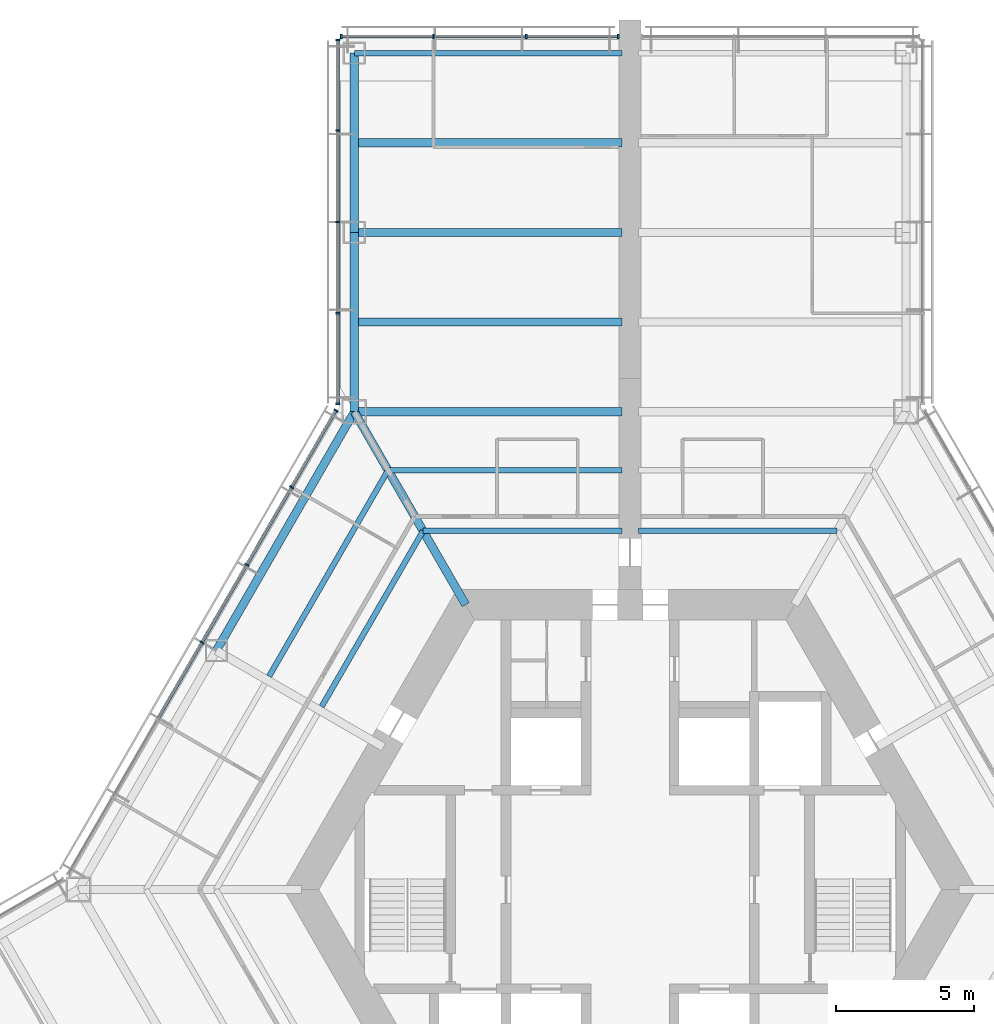
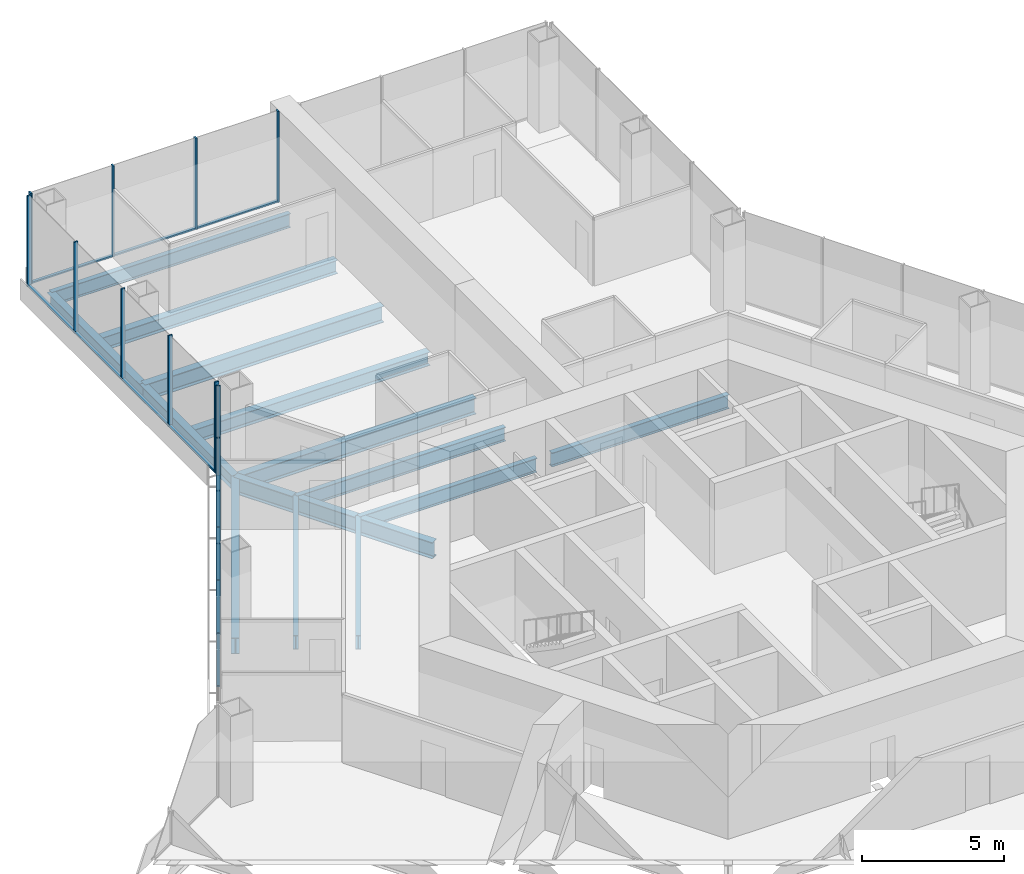
# One storey, part 7 of 18: 24 members, 14 beams, 3 elements without a shape of their own.
"""IFC4 building model written with IfcOpenShell, lengths in metres."""

from ifc_helpers import new_model, si_unit, direction, frame, origin, origin_2d, place, context, subcontext, project, spatial, rectangle, i_section, extrude, material, material_profile, profile_set, type_object, element, aggregate, save


model = new_model("IFC4")

# Units and contexts
model_context = context("Model", 3, precision=1e-05, world=origin(), true_north=direction((0.0, 1.0)))
body_context = subcontext(model_context, "Body", "Model", "MODEL_VIEW")
ifc_project = project(units=[si_unit("LENGTHUNIT", "METRE"), si_unit("AREAUNIT", "SQUARE_METRE"), si_unit("VOLUMEUNIT", "CUBIC_METRE"), si_unit("PLANEANGLEUNIT", "RADIAN"), si_unit("MASSUNIT", "GRAM", prefix="KILO")], contexts=[model_context])

# Site, building, storey
site_placement = place(None, origin())
site = spatial("IfcSite", under=ifc_project, at=site_placement, CompositionType="ELEMENT")
building_placement = place(site_placement, origin())
building = spatial("IfcBuilding", under=site, at=building_placement, Name="Kasaneha Research Tower", CompositionType="ELEMENT")
storey_placement = place(building_placement, frame((0.0, 0.0, 76.800048828125)))
storey = spatial("IfcBuildingStorey", under=building, at=storey_placement, Name="L19", CompositionType="ELEMENT", Elevation=76.800048828125)

# Beams
ifc_material_1 = material(Name="Steel SN490B", Category="steel")
ifc_material_profile_1 = material_profile(ifc_material_1, i_section(OverallWidth=0.199951171875, OverallDepth=0.60009765625, WebThickness=0.010986328125, FlangeThickness=0.01708984375, FilletRadius=0.012939453125, at=origin_2d()), Name="H-600x200x11x17")
ifc_profile_set_1 = profile_set([ifc_material_profile_1], Name="Steel SN490B")
beam_type_1 = type_object("IfcBeamType", Name="B1-3 secondary beam H-600x200x11x17", PredefinedType="JOIST", material=ifc_profile_set_1)
for number, where, z_axis, x_axis, name in (
    (1, (7.505615234375, 13.0, -0.449951171875), (-1.0, 0.0, 0.0), (0.0, -1.0, 0.0), "Secondary beam RS090L1 L19"),
    (2, (-7.505615234375, 13.0, -0.449951171875), (1.0, 0.0, 0.0), (0.0, 1.0, 0.0), "Secondary beam RS090R1 L19"),
):
    element("IfcBeam", number, at=place(storey_placement, frame(where, z_axis=z_axis, x_axis=x_axis)), inside=storey, type_object=beam_type_1, Name=name, PredefinedType="JOIST", context=body_context, shape_type="SweptSolid", body=[
        extrude(i_section(OverallWidth=0.199951171875, OverallDepth=0.60009765625, WebThickness=0.010986328125, FlangeThickness=0.01708984375, FilletRadius=0.012939453125, at=origin_2d()), origin(), (0.0, 0.0, 1.0), 7.20556640625),
    ])
beam_1_placement = place(storey_placement, frame((-8.775634765625, 15.199951171875, -0.449951171875), z_axis=(1.0, 0.0, 0.0), x_axis=(0.0, 1.0, 0.0)))
element("IfcBeam", 3, at=beam_1_placement, inside=storey, type_object=beam_type_1, Name="Secondary beam RS090R2 L19", PredefinedType="JOIST", context=body_context, shape_type="SweptSolid", body=[
    extrude(i_section(OverallWidth=0.199951171875, OverallDepth=0.60009765625, WebThickness=0.010986328125, FlangeThickness=0.01708984375, FilletRadius=0.012939453125, at=origin_2d()), origin(), (0.0, 0.0, 1.0), 8.4755859375),
])
beam_2_placement = place(storey_placement, frame((-7.505615234375, 13.0, -0.449951171875), z_axis=(-0.499994443168, -0.866028611999, 0.0), x_axis=(0.866028611999, -0.499994443168, 0.0)))
element("IfcBeam", 4, at=beam_2_placement, inside=storey, type_object=beam_type_1, Name="Secondary beam RS150L1 L19", PredefinedType="JOIST", context=body_context, shape_type="SweptSolid", body=[
    extrude(i_section(OverallWidth=0.199951171875, OverallDepth=0.60009765625, WebThickness=0.010986328125, FlangeThickness=0.01708984375, FilletRadius=0.012939453125, at=origin_2d()), origin(), (0.0, 0.0, 1.0), 7.35546875),
])
beam_3_placement = place(storey_placement, frame((-8.775634765625, 15.199951171875, -0.449951171875), z_axis=(-0.500017275495, -0.866015429543, 0.0), x_axis=(0.866015429543, -0.500017275495, 0.0)))
element("IfcBeam", 5, at=beam_3_placement, inside=storey, type_object=beam_type_1, Name="Secondary beam RS150L2 L19", PredefinedType="JOIST", context=body_context, shape_type="SweptSolid", body=[
    extrude(i_section(OverallWidth=0.199951171875, OverallDepth=0.60009765625, WebThickness=0.010986328125, FlangeThickness=0.01708984375, FilletRadius=0.012939453125, at=origin_2d()), origin(), (0.0, 0.0, 1.0), 8.625732421875),
])
ifc_material_2 = material(Name="Steel SN490B", Category="steel")
ifc_material_profile_2 = material_profile(ifc_material_2, i_section(OverallWidth=0.300048828125, OverallDepth=0.58203125, WebThickness=0.011962890625, FlangeThickness=0.01708984375, FilletRadius=0.012939453125, at=origin_2d()), Name="H-582x300x12x17")
ifc_profile_set_2 = profile_set([ifc_material_profile_2], Name="Steel SN490B")
beam_type_2 = type_object("IfcBeamType", Name="B2-3 secondary beam H-582x300x12x17", PredefinedType="JOIST", material=ifc_profile_set_2)
for number, where, z_axis, x_axis, name in (
    (6, (-10.0, 20.570556640625, -0.441162109375), (1.0, 0.0, 0.0), (0.0, 1.0, 0.0), "Secondary beam WBAN1 L19"),
    (7, (-10.0, 27.070556640625, -0.441162109375), (1.0, 0.0, 0.0), (0.0, 1.0, 0.0), "Secondary beam WBAN2 L19"),
):
    element("IfcBeam", number, at=place(storey_placement, frame(where, z_axis=z_axis, x_axis=x_axis)), inside=storey, type_object=beam_type_2, Name=name, PredefinedType="JOIST", context=body_context, shape_type="SweptSolid", body=[
        extrude(i_section(OverallWidth=0.300048828125, OverallDepth=0.58203125, WebThickness=0.011962890625, FlangeThickness=0.01708984375, FilletRadius=0.012939453125, at=origin_2d()), origin(), (0.0, 0.0, 1.0), 9.699951171875),
    ])

# Curtain wall, members
ifc_material_3 = material(Name="Glass and aluminium", Category="aluminium")
curtain_wall_type = type_object("IfcCurtainWallType", Name="Low-rise office curtain wall", PredefinedType="USERDEFINED", material=ifc_material_3)
curtain_wall_1_placement = place(storey_placement, origin())
curtain_wall_1 = element("IfcCurtainWall", 8, at=curtain_wall_1_placement, inside=storey, type_object=curtain_wall_type, Name="CW-O1 L19 run 10a", ObjectType="UNITISED CURTAIN WALL", PredefinedType="USERDEFINED")
ifc_material_4 = material(Name="Aluminium 6063-T6", Category="aluminium")
ifc_material_profile_3 = material_profile(ifc_material_4, rectangle(XDim=0.06005859375, YDim=0.159912109375, at=origin_2d()), Name="CW-O1 mullion 60x160")
ifc_profile_set_3 = profile_set([ifc_material_profile_3], Name="Aluminium 6063-T6")
member_type_1 = type_object("IfcMemberType", Name="CW-O1 mullion", PredefinedType="MULLION", material=ifc_profile_set_3)
member_1_placement = place(storey_placement, frame((-0.429931640625, 30.92041015625, 0.0), z_axis=(0.0, 0.0, 1.0), x_axis=(-1.0, 0.0, 0.0)))
member_1 = element("IfcMember", 9, at=member_1_placement, type_object=member_type_1, Name="CW-O1 mullion 1", PredefinedType="MULLION", context=body_context, shape_type="SweptSolid", body=[
    extrude(rectangle(XDim=0.06005859375, YDim=0.159912109375, at=origin_2d()), origin(), (0.0, 0.0, 1.0), 3.89990234375),
])
member_2_placement = place(storey_placement, frame((-3.7666015625, 30.92041015625, 0.0), z_axis=(0.0, 0.0, 1.0), x_axis=(-1.0, 0.0, 0.0)))
member_2 = element("IfcMember", 10, at=member_2_placement, type_object=member_type_1, Name="CW-O1 mullion 2", PredefinedType="MULLION", context=body_context, shape_type="SweptSolid", body=[
    extrude(rectangle(XDim=0.06005859375, YDim=0.159912109375, at=origin_2d()), origin(), (0.0, 0.0, 1.0), 3.89990234375),
])
member_3_placement = place(storey_placement, frame((-7.13330078125, 30.92041015625, 0.0), z_axis=(0.0, 0.0, 1.0), x_axis=(-1.0, 0.0, 0.0)))
member_3 = element("IfcMember", 11, at=member_3_placement, type_object=member_type_1, Name="CW-O1 mullion 3", PredefinedType="MULLION", context=body_context, shape_type="SweptSolid", body=[
    extrude(rectangle(XDim=0.06005859375, YDim=0.159912109375, at=origin_2d()), origin(), (0.0, 0.0, 1.0), 3.89990234375),
])
member_4_placement = place(storey_placement, frame((-10.469970703125, 30.92041015625, 0.0), z_axis=(0.0, 0.0, 1.0), x_axis=(-1.0, 0.0, 0.0)))
member_4 = element("IfcMember", 12, at=member_4_placement, type_object=member_type_1, Name="CW-O1 mullion 4", PredefinedType="MULLION", context=body_context, shape_type="SweptSolid", body=[
    extrude(rectangle(XDim=0.06005859375, YDim=0.159912109375, at=origin_2d()), origin(), (0.0, 0.0, 1.0), 3.89990234375),
])

curtain_wall_2_placement = place(storey_placement, origin())
curtain_wall_2 = element("IfcCurtainWall", 13, at=curtain_wall_2_placement, inside=storey, type_object=curtain_wall_type, Name="CW-O1 L19 run 11a", ObjectType="UNITISED CURTAIN WALL", PredefinedType="USERDEFINED")
member_5_placement = place(storey_placement, frame((-10.60009765625, 30.79052734375, 0.0), z_axis=(0.0, 0.0, 1.0), x_axis=(0.0, -1.0, 0.0)))
member_5 = element("IfcMember", 14, at=member_5_placement, type_object=member_type_1, Name="CW-O1 mullion 1", PredefinedType="MULLION", context=body_context, shape_type="SweptSolid", body=[
    extrude(rectangle(XDim=0.06005859375, YDim=0.159912109375, at=origin_2d()), origin(), (0.0, 0.0, 1.0), 3.89990234375),
])
member_6_placement = place(storey_placement, frame((-10.60009765625, 27.5107421875, 0.0), z_axis=(0.0, 0.0, 1.0), x_axis=(0.0, -1.0, 0.0)))
member_6 = element("IfcMember", 15, at=member_6_placement, type_object=member_type_1, Name="CW-O1 mullion 2", PredefinedType="MULLION", context=body_context, shape_type="SweptSolid", body=[
    extrude(rectangle(XDim=0.06005859375, YDim=0.159912109375, at=origin_2d()), origin(), (0.0, 0.0, 1.0), 3.89990234375),
])
member_7_placement = place(storey_placement, frame((-10.60009765625, 24.200927734375, 0.0), z_axis=(0.0, 0.0, 1.0), x_axis=(0.0, -1.0, 0.0)))
member_7 = element("IfcMember", 16, at=member_7_placement, type_object=member_type_1, Name="CW-O1 mullion 3", PredefinedType="MULLION", context=body_context, shape_type="SweptSolid", body=[
    extrude(rectangle(XDim=0.06005859375, YDim=0.159912109375, at=origin_2d()), origin(), (0.0, 0.0, 1.0), 3.89990234375),
])
member_8_placement = place(storey_placement, frame((-10.60009765625, 20.89111328125, 0.0), z_axis=(0.0, 0.0, 1.0), x_axis=(0.0, -1.0, 0.0)))
member_8 = element("IfcMember", 17, at=member_8_placement, type_object=member_type_1, Name="CW-O1 mullion 4", PredefinedType="MULLION", context=body_context, shape_type="SweptSolid", body=[
    extrude(rectangle(XDim=0.06005859375, YDim=0.159912109375, at=origin_2d()), origin(), (0.0, 0.0, 1.0), 3.89990234375),
])
member_9_placement = place(storey_placement, frame((-10.60009765625, 17.611328125, 0.0), z_axis=(0.0, 0.0, 1.0), x_axis=(0.0, -1.0, 0.0)))
member_9 = element("IfcMember", 18, at=member_9_placement, type_object=member_type_1, Name="CW-O1 mullion 5", PredefinedType="MULLION", context=body_context, shape_type="SweptSolid", body=[
    extrude(rectangle(XDim=0.06005859375, YDim=0.159912109375, at=origin_2d()), origin(), (0.0, 0.0, 1.0), 3.89990234375),
])

curtain_wall_3_placement = place(storey_placement, origin())
curtain_wall_3 = element("IfcCurtainWall", 19, at=curtain_wall_3_placement, inside=storey, type_object=curtain_wall_type, Name="CW-O1 L19 run 12a", ObjectType="UNITISED CURTAIN WALL", PredefinedType="USERDEFINED")
member_10_placement = place(storey_placement, frame((-10.6650390625, 17.36865234375, 0.0), z_axis=(0.0, 0.0, 1.0), x_axis=(-0.49999996188, -0.866025425793, 0.0)))
member_10 = element("IfcMember", 20, at=member_10_placement, type_object=member_type_1, Name="CW-O1 mullion 1", PredefinedType="MULLION", context=body_context, shape_type="SweptSolid", body=[
    extrude(rectangle(XDim=0.06005859375, YDim=0.159912109375, at=origin_2d()), origin(), (0.0, 0.0, 1.0), 3.89990234375),
])
member_11_placement = place(storey_placement, frame((-12.273193359375, 14.583251953125, 0.0), z_axis=(0.0, 0.0, 1.0), x_axis=(-0.49999996188, -0.866025425793, 0.0)))
member_11 = element("IfcMember", 21, at=member_11_placement, type_object=member_type_1, Name="CW-O1 mullion 2", PredefinedType="MULLION", context=body_context, shape_type="SweptSolid", body=[
    extrude(rectangle(XDim=0.06005859375, YDim=0.159912109375, at=origin_2d()), origin(), (0.0, 0.0, 1.0), 3.89990234375),
])
member_12_placement = place(storey_placement, frame((-13.896484375, 11.771728515625, 0.0), z_axis=(0.0, 0.0, 1.0), x_axis=(-0.49999996188, -0.866025425793, 0.0)))
member_12 = element("IfcMember", 22, at=member_12_placement, type_object=member_type_1, Name="CW-O1 mullion 3", PredefinedType="MULLION", context=body_context, shape_type="SweptSolid", body=[
    extrude(rectangle(XDim=0.06005859375, YDim=0.159912109375, at=origin_2d()), origin(), (0.0, 0.0, 1.0), 3.89990234375),
])
member_13_placement = place(storey_placement, frame((-15.51953125, 8.960205078125, 0.0), z_axis=(0.0, 0.0, 1.0), x_axis=(-0.49999996188, -0.866025425793, 0.0)))
member_13 = element("IfcMember", 23, at=member_13_placement, type_object=member_type_1, Name="CW-O1 mullion 4", PredefinedType="MULLION", context=body_context, shape_type="SweptSolid", body=[
    extrude(rectangle(XDim=0.06005859375, YDim=0.159912109375, at=origin_2d()), origin(), (0.0, 0.0, 1.0), 3.89990234375),
])

# Member
ifc_material_5 = material(Name="Aluminium 6063-T6", Category="aluminium")
ifc_material_profile_4 = material_profile(ifc_material_5, rectangle(XDim=0.1201171875, YDim=0.06005859375, at=origin_2d()), Name="CW-O1 transom 120x60")
ifc_profile_set_4 = profile_set([ifc_material_profile_4], Name="Aluminium 6063-T6")
member_type_2 = type_object("IfcMemberType", Name="CW-O1 transom", PredefinedType="USERDEFINED", material=ifc_profile_set_4)
member_14_placement = place(storey_placement, frame((-0.4599609375, 30.92041015625, 0.030029296875), z_axis=(-1.0, 0.0, 0.0), x_axis=(0.0, -1.0, 0.0)))
member_14 = element("IfcMember", 24, at=member_14_placement, type_object=member_type_2, Name="CW-O1 transom 1", ObjectType="TRANSOM", PredefinedType="USERDEFINED", context=body_context, shape_type="SweptSolid", body=[
    extrude(rectangle(XDim=0.1201171875, YDim=0.06005859375, at=origin_2d()), origin(), (0.0, 0.0, 1.0), 3.276611328125),
])

member_15_placement = place(storey_placement, frame((-3.796630859375, 30.92041015625, 0.030029296875), z_axis=(-1.0, 0.0, 0.0), x_axis=(0.0, -1.0, 0.0)))
member_15 = element("IfcMember", 25, at=member_15_placement, type_object=member_type_2, Name="CW-O1 transom 2", ObjectType="TRANSOM", PredefinedType="USERDEFINED", context=body_context, shape_type="SweptSolid", body=[
    extrude(rectangle(XDim=0.1201171875, YDim=0.06005859375, at=origin_2d()), origin(), (0.0, 0.0, 1.0), 3.306640625),
])

member_16_placement = place(storey_placement, frame((-7.163330078125, 30.92041015625, 0.030029296875), z_axis=(-1.0, 0.0, 0.0), x_axis=(0.0, -1.0, 0.0)))
member_16 = element("IfcMember", 26, at=member_16_placement, type_object=member_type_2, Name="CW-O1 transom 3", ObjectType="TRANSOM", PredefinedType="USERDEFINED", context=body_context, shape_type="SweptSolid", body=[
    extrude(rectangle(XDim=0.1201171875, YDim=0.06005859375, at=origin_2d()), origin(), (0.0, 0.0, 1.0), 3.276611328125),
])

aggregate(curtain_wall_1, [member_1, member_2, member_3, member_4, member_14, member_15, member_16])

member_17_placement = place(storey_placement, frame((-10.60009765625, 30.760498046875, 0.030029296875), z_axis=(0.0, -1.0, 0.0), x_axis=(1.0, 0.0, 0.0)))
member_17 = element("IfcMember", 27, at=member_17_placement, type_object=member_type_2, Name="CW-O1 transom 1", ObjectType="TRANSOM", PredefinedType="USERDEFINED", context=body_context, shape_type="SweptSolid", body=[
    extrude(rectangle(XDim=0.1201171875, YDim=0.06005859375, at=origin_2d()), origin(), (0.0, 0.0, 1.0), 3.2197265625),
])

member_18_placement = place(storey_placement, frame((-10.60009765625, 27.480712890625, 0.030029296875), z_axis=(0.0, -1.0, 0.0), x_axis=(1.0, 0.0, 0.0)))
member_18 = element("IfcMember", 28, at=member_18_placement, type_object=member_type_2, Name="CW-O1 transom 2", ObjectType="TRANSOM", PredefinedType="USERDEFINED", context=body_context, shape_type="SweptSolid", body=[
    extrude(rectangle(XDim=0.1201171875, YDim=0.06005859375, at=origin_2d()), origin(), (0.0, 0.0, 1.0), 3.249755859375),
])

member_19_placement = place(storey_placement, frame((-10.60009765625, 24.1708984375, 0.030029296875), z_axis=(0.0, -1.0, 0.0), x_axis=(1.0, 0.0, 0.0)))
member_19 = element("IfcMember", 29, at=member_19_placement, type_object=member_type_2, Name="CW-O1 transom 3", ObjectType="TRANSOM", PredefinedType="USERDEFINED", context=body_context, shape_type="SweptSolid", body=[
    extrude(rectangle(XDim=0.1201171875, YDim=0.06005859375, at=origin_2d()), origin(), (0.0, 0.0, 1.0), 3.249755859375),
])

member_20_placement = place(storey_placement, frame((-10.60009765625, 20.861083984375, 0.030029296875), z_axis=(0.0, -1.0, 0.0), x_axis=(1.0, 0.0, 0.0)))
member_20 = element("IfcMember", 30, at=member_20_placement, type_object=member_type_2, Name="CW-O1 transom 4", ObjectType="TRANSOM", PredefinedType="USERDEFINED", context=body_context, shape_type="SweptSolid", body=[
    extrude(rectangle(XDim=0.1201171875, YDim=0.06005859375, at=origin_2d()), origin(), (0.0, 0.0, 1.0), 3.2197265625),
])

aggregate(curtain_wall_2, [member_5, member_6, member_7, member_8, member_9, member_17, member_18, member_19, member_20])

member_21_placement = place(storey_placement, frame((-10.679931640625, 17.3427734375, 0.030029296875), z_axis=(-0.500023726918, -0.866011704609, 0.0), x_axis=(0.866011704609, -0.500023726918, 0.0)))
member_21 = element("IfcMember", 31, at=member_21_placement, type_object=member_type_2, Name="CW-O1 transom 1", ObjectType="TRANSOM", PredefinedType="USERDEFINED", context=body_context, shape_type="SweptSolid", body=[
    extrude(rectangle(XDim=0.1201171875, YDim=0.06005859375, at=origin_2d()), origin(), (0.0, 0.0, 1.0), 3.156494140625),
])

member_22_placement = place(storey_placement, frame((-12.2880859375, 14.55712890625, 0.030029296875), z_axis=(-0.500012062035, -0.866018439653, 0.0), x_axis=(0.866018439653, -0.500012062035, 0.0)))
member_22 = element("IfcMember", 32, at=member_22_placement, type_object=member_type_2, Name="CW-O1 transom 2", ObjectType="TRANSOM", PredefinedType="USERDEFINED", context=body_context, shape_type="SweptSolid", body=[
    extrude(rectangle(XDim=0.1201171875, YDim=0.06005859375, at=origin_2d()), origin(), (0.0, 0.0, 1.0), 3.1865234375),
])

member_23_placement = place(storey_placement, frame((-13.911376953125, 11.745849609375, 0.030029296875), z_axis=(-0.500012062035, -0.866018439653, 0.0), x_axis=(0.866018439653, -0.500012062035, 0.0)))
member_23 = element("IfcMember", 33, at=member_23_placement, type_object=member_type_2, Name="CW-O1 transom 3", ObjectType="TRANSOM", PredefinedType="USERDEFINED", context=body_context, shape_type="SweptSolid", body=[
    extrude(rectangle(XDim=0.1201171875, YDim=0.06005859375, at=origin_2d()), origin(), (0.0, 0.0, 1.0), 3.1865234375),
])

member_24_placement = place(storey_placement, frame((-15.53466796875, 8.934326171875, 0.030029296875), z_axis=(-0.500012062035, -0.866018439653, 0.0), x_axis=(0.866018439653, -0.500012062035, 0.0)))
member_24 = element("IfcMember", 34, at=member_24_placement, type_object=member_type_2, Name="CW-O1 transom 4", ObjectType="TRANSOM", PredefinedType="USERDEFINED", context=body_context, shape_type="SweptSolid", body=[
    extrude(rectangle(XDim=0.1201171875, YDim=0.06005859375, at=origin_2d()), origin(), (0.0, 0.0, 1.0), 3.1865234375),
])

aggregate(curtain_wall_3, [member_10, member_11, member_12, member_13, member_21, member_22, member_23, member_24])

# Beams
ifc_material_6 = material(Name="Steel SN490B", Category="steel")
ifc_material_profile_5 = material_profile(ifc_material_6, i_section(OverallWidth=0.300048828125, OverallDepth=0.699951171875, WebThickness=0.012939453125, FlangeThickness=0.02392578125, FilletRadius=0.01806640625, at=origin_2d()), Name="H-700x300x13x24")
ifc_profile_set_5 = profile_set([ifc_material_profile_5], Name="Steel SN490B")
beam_type_3 = type_object("IfcBeamType", Name="G1-3 radial girder H-700x300x13x24", PredefinedType="BEAM", material=ifc_profile_set_5)
beam_4_placement = place(storey_placement, frame((-5.961181640625, 10.324951171875, -0.5), z_axis=(-0.49999105496, 0.866030568144, 0.0), x_axis=(-0.866030568144, -0.49999105496, 0.0)))
element("IfcBeam", 35, at=beam_4_placement, inside=storey, type_object=beam_type_3, Name="Radial girder RV120 L19", PredefinedType="BEAM", context=body_context, shape_type="SweptSolid", body=[
    extrude(i_section(OverallWidth=0.300048828125, OverallDepth=0.699951171875, WebThickness=0.012939453125, FlangeThickness=0.02392578125, FilletRadius=0.01806640625, at=origin_2d()), origin(), (0.0, 0.0, 1.0), 8.077880859375),
])
ifc_material_7 = material(Name="Steel SN490B", Category="steel")
ifc_material_profile_6 = material_profile(ifc_material_7, i_section(OverallWidth=0.300048828125, OverallDepth=0.69189453125, WebThickness=0.012939453125, FlangeThickness=0.02001953125, FilletRadius=0.01806640625, at=origin_2d()), Name="H-692x300x13x20")
ifc_profile_set_6 = profile_set([ifc_material_profile_6], Name="Steel SN490B")
beam_type_4 = type_object("IfcBeamType", Name="G3-3 plate edge girder H-692x300x13x20", PredefinedType="BEAM", material=ifc_profile_set_6)
beam_5_placement = place(storey_placement, frame((-10.0, 17.320556640625, -0.49609375), z_axis=(1.0, 0.0, 0.0), x_axis=(0.0, 1.0, 0.0)))
element("IfcBeam", 36, at=beam_5_placement, inside=storey, type_object=beam_type_4, Name="Plate edge girder PEAN L19", PredefinedType="BEAM", context=body_context, shape_type="SweptSolid", body=[
    extrude(i_section(OverallWidth=0.300048828125, OverallDepth=0.69189453125, WebThickness=0.012939453125, FlangeThickness=0.02001953125, FilletRadius=0.01806640625, at=origin_2d()), origin(), (0.0, 0.0, 1.0), 9.699951171875),
])
ifc_material_8 = material(Name="Steel SN490B", Category="steel")
ifc_material_profile_7 = material_profile(ifc_material_8, i_section(OverallWidth=0.300048828125, OverallDepth=0.699951171875, WebThickness=0.012939453125, FlangeThickness=0.02392578125, FilletRadius=0.01806640625, at=origin_2d()), Name="H-700x300x13x24")
ifc_profile_set_7 = profile_set([ifc_material_profile_7], Name="Steel SN490B")
beam_type_5 = type_object("IfcBeamType", Name="G4-3 wing girder H-700x300x13x24", PredefinedType="BEAM", material=ifc_profile_set_7)
beam_6_placement = place(storey_placement, frame((-10.0, 23.820556640625, -0.5), z_axis=(1.0, 0.0, 0.0), x_axis=(0.0, 1.0, 0.0)))
element("IfcBeam", 37, at=beam_6_placement, inside=storey, type_object=beam_type_5, Name="Wing girder WGAN L19", PredefinedType="BEAM", context=body_context, shape_type="SweptSolid", body=[
    extrude(i_section(OverallWidth=0.300048828125, OverallDepth=0.699951171875, WebThickness=0.012939453125, FlangeThickness=0.02392578125, FilletRadius=0.01806640625, at=origin_2d()), origin(), (0.0, 0.0, 1.0), 9.699951171875),
])
ifc_material_9 = material(Name="Steel SN490B", Category="steel")
ifc_material_profile_8 = material_profile(ifc_material_9, i_section(OverallWidth=0.300048828125, OverallDepth=0.69189453125, WebThickness=0.012939453125, FlangeThickness=0.02001953125, FilletRadius=0.01806640625, at=origin_2d()), Name="H-692x300x13x20")
ifc_profile_set_8 = profile_set([ifc_material_profile_8], Name="Steel SN490B")
beam_type_6 = type_object("IfcBeamType", Name="SB1-3 spandrel beam H-692x300x13x20", PredefinedType="SPANDREL", material=ifc_profile_set_8)
beam_7_placement = place(storey_placement, frame((-10.0, 17.320556640625, -0.49609375), z_axis=(-0.499993662806, -0.866029062534, 0.0), x_axis=(0.866029062534, -0.499993662806, 0.0)))
element("IfcBeam", 38, at=beam_7_placement, inside=storey, type_object=beam_type_6, Name="Spandrel beam SR150L L19", PredefinedType="SPANDREL", context=body_context, shape_type="SweptSolid", body=[
    extrude(i_section(OverallWidth=0.300048828125, OverallDepth=0.69189453125, WebThickness=0.012939453125, FlangeThickness=0.02001953125, FilletRadius=0.01806640625, at=origin_2d()), origin(), (0.0, 0.0, 1.0), 10.000244140625),
])
ifc_material_10 = material(Name="Steel SN490B", Category="steel")
ifc_material_profile_9 = material_profile(ifc_material_10, i_section(OverallWidth=0.300048828125, OverallDepth=0.58203125, WebThickness=0.011962890625, FlangeThickness=0.01708984375, FilletRadius=0.012939453125, at=origin_2d()), Name="H-582x300x12x17")
ifc_profile_set_9 = profile_set([ifc_material_profile_9], Name="Steel SN490B")
beam_type_7 = type_object("IfcBeamType", Name="SB2-3 spandrel beam H-582x300x12x17", PredefinedType="SPANDREL", material=ifc_profile_set_9)
for number, where, z_axis, x_axis, name in (
    (39, (-10.0, 17.320556640625, -0.441162109375), (0.0, 1.0, 0.0), (-1.0, 0.0, 0.0), "Spandrel beam WSAN1 L19"),
    (40, (-10.0, 23.820556640625, -0.441162109375), (0.0, 1.0, 0.0), (-1.0, 0.0, 0.0), "Spandrel beam WSAN2 L19"),
):
    element("IfcBeam", number, at=place(storey_placement, frame(where, z_axis=z_axis, x_axis=x_axis)), inside=storey, type_object=beam_type_7, Name=name, PredefinedType="SPANDREL", context=body_context, shape_type="SweptSolid", body=[
        extrude(i_section(OverallWidth=0.300048828125, OverallDepth=0.58203125, WebThickness=0.011962890625, FlangeThickness=0.01708984375, FilletRadius=0.012939453125, at=origin_2d()), origin(), (0.0, 0.0, 1.0), 6.5),
    ])
ifc_material_11 = material(Name="Steel SN490B", Category="steel")
ifc_material_profile_10 = material_profile(ifc_material_11, i_section(OverallWidth=0.199951171875, OverallDepth=0.60009765625, WebThickness=0.010986328125, FlangeThickness=0.01708984375, FilletRadius=0.012939453125, at=origin_2d()), Name="H-600x200x11x17")
ifc_profile_set_10 = profile_set([ifc_material_profile_10], Name="Steel SN490B")
beam_type_8 = type_object("IfcBeamType", Name="SB3-3 spandrel beam H-600x200x11x17", PredefinedType="SPANDREL", material=ifc_profile_set_10)
beam_8_placement = place(storey_placement, frame((-10.0, 30.320556640625, -0.449951171875), z_axis=(1.0, 0.0, 0.0), x_axis=(0.0, 1.0, 0.0)))
element("IfcBeam", 41, at=beam_8_placement, inside=storey, type_object=beam_type_8, Name="Spandrel beam WTAN L19", PredefinedType="SPANDREL", context=body_context, shape_type="SweptSolid", body=[
    extrude(i_section(OverallWidth=0.199951171875, OverallDepth=0.60009765625, WebThickness=0.010986328125, FlangeThickness=0.01708984375, FilletRadius=0.012939453125, at=origin_2d()), origin(), (0.0, 0.0, 1.0), 9.699951171875),
])

save(model, "model.ifc")
